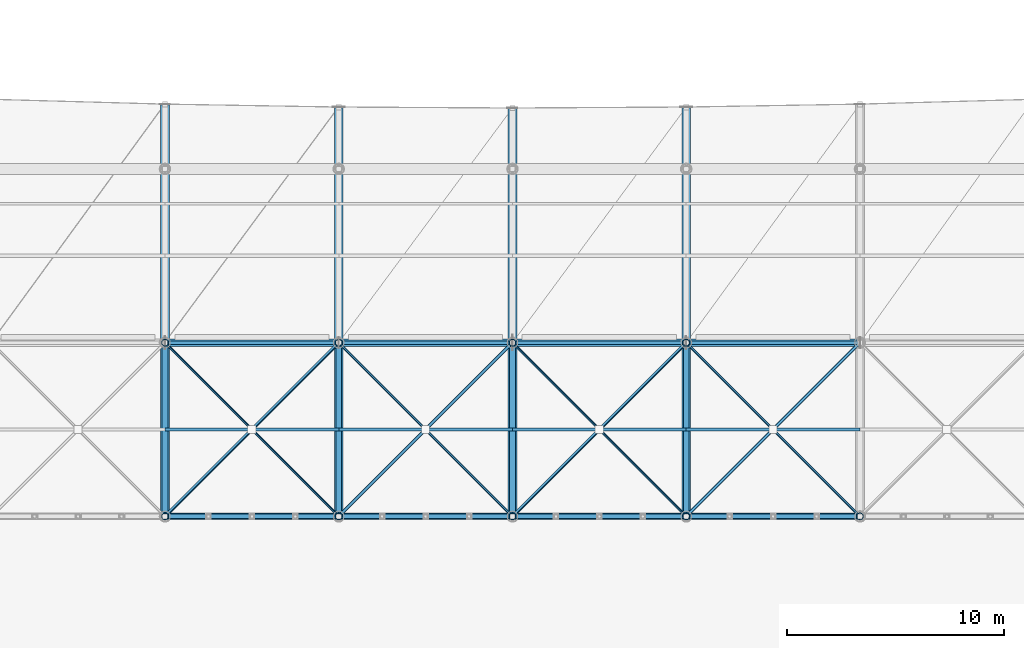
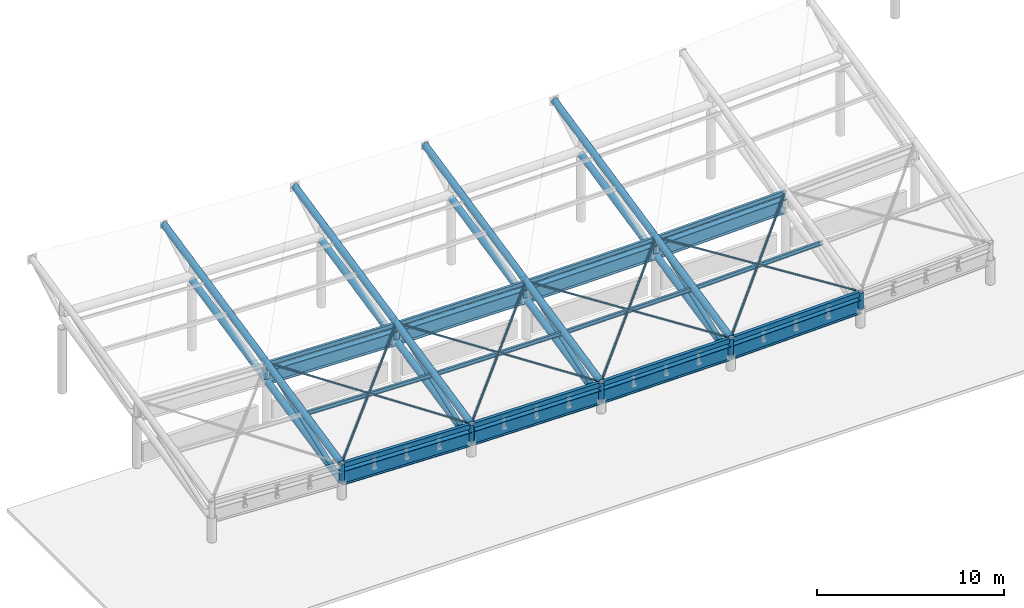
# One storey, part 23 of 78: 41 members, 12 beams.
"""IFC4 building model written with IfcOpenShell, lengths in metres."""

from ifc_helpers import new_model, si_unit, direction, frame, origin, origin_2d, place, context, subcontext, project, spatial, hollow_rectangle, hollow_circle, i_section, extrude, material, material_profile, profile_set, type_object, element, save


model = new_model("IFC4")

# Units and contexts
model_context = context("Model", 3, precision=1e-05, world=origin(), true_north=direction((0.0, 1.0)))
body_context = subcontext(model_context, "Body", "Model", "MODEL_VIEW")
ifc_project = project(units=[si_unit("LENGTHUNIT", "METRE"), si_unit("AREAUNIT", "SQUARE_METRE"), si_unit("VOLUMEUNIT", "CUBIC_METRE"), si_unit("PLANEANGLEUNIT", "RADIAN"), si_unit("MASSUNIT", "GRAM", prefix="KILO")], contexts=[model_context])

# Site, building, storey
site_placement = place(None, origin())
site = spatial("IfcSite", under=ifc_project, at=site_placement, CompositionType="ELEMENT")
building_placement = place(site_placement, origin())
building = spatial("IfcBuilding", under=site, at=building_placement, Name="Haebicheon Civic Stadium", CompositionType="ELEMENT")
storey_placement = place(building_placement, frame((0.0, 0.0, 18.60009765625)))
storey = spatial("IfcBuildingStorey", under=building, at=storey_placement, Name="L05", CompositionType="ELEMENT", Elevation=18.60009765625)

# Members
ifc_material_1 = material(Name="White painted steel SM490", Category="steel")
ifc_material_profile_1 = material_profile(ifc_material_1, hollow_circle(Radius=0.05712890625, WallThickness=0.006103515625, at=origin_2d()), Name="CHS-114.3x6.0")
ifc_profile_set_1 = profile_set([ifc_material_profile_1], Name="White painted steel SM490")
member_type_1 = type_object("IfcMemberType", Name="BRC-CHS114", PredefinedType="BRACE", material=ifc_profile_set_1)
for number, where, z_axis, x_axis, name in (
    (1, (96.0, 24.0, 2.0), (-0.696931970623, 0.696931970623, 0.169031525603), (-0.707106781187, -0.707106781187, 0.0), "BR114 diagonal brace CAN-SOUTH canopy bay 2 B1"),
    (2, (91.949951171875, 28.050048828125, 2.98193359375), (-0.696931970623, 0.696931970623, 0.169031525603), (-0.707106781187, -0.707106781187, 0.0), "BR114 diagonal brace CAN-SOUTH canopy bay 2 B2"),
):
    element("IfcMember", number, at=place(storey_placement, frame(where, z_axis=z_axis, x_axis=x_axis)), inside=storey, type_object=member_type_1, material=ifc_profile_set_1, Name=name, PredefinedType="BRACE", context=body_context, shape_type="SweptSolid", body=[
        extrude(hollow_circle(Radius=0.05712890625, WallThickness=0.006103515625, at=origin_2d()), origin(), (0.0, 0.0, 1.0), 5.667724609375),
    ])
member_1_placement = place(storey_placement, frame((104.0, 24.0, 1.927001953125), z_axis=(-0.698377172631, 0.698377172631, 0.156648171054), x_axis=(-0.707106781187, -0.707106781187, 0.0)))
element("IfcMember", 3, at=member_1_placement, inside=storey, type_object=member_type_1, material=ifc_profile_set_1, Name="BR114 diagonal brace CAN-SOUTH canopy bay 3 B1", PredefinedType="BRACE", context=body_context, shape_type="SweptSolid", body=[
    extrude(hollow_circle(Radius=0.05712890625, WallThickness=0.006103515625, at=origin_2d()), origin(), (0.0, 0.0, 1.0), 5.656005859375),
])
member_2_placement = place(storey_placement, frame((99.949951171875, 28.050048828125, 2.8349609375), z_axis=(-0.698396052193, 0.698396052193, 0.156479738501), x_axis=(-0.707106781187, -0.707106781187, 0.0)))
element("IfcMember", 4, at=member_2_placement, inside=storey, type_object=member_type_1, material=ifc_profile_set_1, Name="BR114 diagonal brace CAN-SOUTH canopy bay 3 B2", PredefinedType="BRACE", context=body_context, shape_type="SweptSolid", body=[
    extrude(hollow_circle(Radius=0.05712890625, WallThickness=0.006103515625, at=origin_2d()), origin(), (0.0, 0.0, 1.0), 5.65576171875),
])
for number, where, z_axis, x_axis, name in (
    (5, (112.0, 24.0, 2.0), (-0.699717478759, 0.699717478759, 0.144190498435), (-0.707106781187, -0.707106781187, 0.0), "BR114 diagonal brace CAN-SOUTH canopy bay 4 B1"),
    (6, (107.949951171875, 28.050048828125, 2.833984375), (-0.699734922757, 0.699734922757, 0.144021094801), (-0.707106781187, -0.707106781187, 0.0), "BR114 diagonal brace CAN-SOUTH canopy bay 4 B2"),
):
    element("IfcMember", number, at=place(storey_placement, frame(where, z_axis=z_axis, x_axis=x_axis)), inside=storey, type_object=member_type_1, material=ifc_profile_set_1, Name=name, PredefinedType="BRACE", context=body_context, shape_type="SweptSolid", body=[
        extrude(hollow_circle(Radius=0.05712890625, WallThickness=0.006103515625, at=origin_2d()), origin(), (0.0, 0.0, 1.0), 5.64501953125),
    ])
for number, where, z_axis, x_axis, name in (
    (7, (120.0, 24.0, 2.219970703125), (-0.700966987649, 0.700966987649, 0.131493590921), (-0.707106781187, -0.707106781187, 0.0), "BR114 diagonal brace CAN-SOUTH canopy bay 5 B1"),
    (8, (115.949951171875, 28.050048828125, 2.97900390625), (-0.700966987649, 0.700966987649, 0.131493590921), (-0.707106781187, -0.707106781187, 0.0), "BR114 diagonal brace CAN-SOUTH canopy bay 5 B2"),
):
    element("IfcMember", number, at=place(storey_placement, frame(where, z_axis=z_axis, x_axis=x_axis)), inside=storey, type_object=member_type_1, material=ifc_profile_set_1, Name=name, PredefinedType="BRACE", context=body_context, shape_type="SweptSolid", body=[
        extrude(hollow_circle(Radius=0.05712890625, WallThickness=0.006103515625, at=origin_2d()), origin(), (0.0, 0.0, 1.0), 5.635009765625),
    ])
ifc_material_2 = material(Name="White painted steel SM490", Category="steel")
ifc_material_profile_2 = material_profile(ifc_material_2, hollow_circle(Radius=0.06982421875, WallThickness=0.006591796875, at=origin_2d()), Name="CHS-139.8x6.6")
ifc_profile_set_2 = profile_set([ifc_material_profile_2], Name="White painted steel SM490")
member_type_2 = type_object("IfcMemberType", Name="BRC-CHS139", PredefinedType="BRACE", material=ifc_profile_set_2)
member_3_placement = place(storey_placement, frame((88.0, 24.0, 2.219970703125), z_axis=(0.700972726941, 0.700972726941, 0.131432386301), x_axis=(-0.707106781187, 0.707106781187, 0.0)))
element("IfcMember", 9, at=member_3_placement, inside=storey, type_object=member_type_2, material=ifc_profile_set_2, Name="BR139 diagonal brace CAN-SOUTH canopy bay 2 A", PredefinedType="BRACE", context=body_context, shape_type="SweptSolid", body=[
    extrude(hollow_circle(Radius=0.06982421875, WallThickness=0.006591796875, at=origin_2d()), origin(), (0.0, 0.0, 1.0), 11.41259765625),
])
member_4_placement = place(storey_placement, frame((96.0, 24.0, 2.0), z_axis=(0.699731451547, 0.699731451547, 0.144054820927), x_axis=(-0.707106781187, 0.707106781187, 0.0)))
element("IfcMember", 10, at=member_4_placement, inside=storey, type_object=member_type_2, material=ifc_profile_set_2, Name="BR139 diagonal brace CAN-SOUTH canopy bay 3 A", PredefinedType="BRACE", context=body_context, shape_type="SweptSolid", body=[
    extrude(hollow_circle(Radius=0.06982421875, WallThickness=0.006591796875, at=origin_2d()), origin(), (0.0, 0.0, 1.0), 11.432861328125),
])
member_5_placement = place(storey_placement, frame((104.0, 24.0, 1.927001953125), z_axis=(0.698391073752, 0.698391073752, 0.156524171315), x_axis=(-0.707106781187, 0.707106781187, 0.0)))
element("IfcMember", 11, at=member_5_placement, inside=storey, type_object=member_type_2, material=ifc_profile_set_2, Name="BR139 diagonal brace CAN-SOUTH canopy bay 4 A", PredefinedType="BRACE", context=body_context, shape_type="SweptSolid", body=[
    extrude(hollow_circle(Radius=0.06982421875, WallThickness=0.006591796875, at=origin_2d()), origin(), (0.0, 0.0, 1.0), 11.454833984375),
])
member_6_placement = place(storey_placement, frame((112.0, 24.0, 2.0), z_axis=(0.696935578316, 0.696935578316, 0.169001773233), x_axis=(-0.707106781187, 0.707106781187, 0.0)))
element("IfcMember", 12, at=member_6_placement, inside=storey, type_object=member_type_2, material=ifc_profile_set_2, Name="BR139 diagonal brace CAN-SOUTH canopy bay 5 A", PredefinedType="BRACE", context=body_context, shape_type="SweptSolid", body=[
    extrude(hollow_circle(Radius=0.06982421875, WallThickness=0.006591796875, at=origin_2d()), origin(), (0.0, 0.0, 1.0), 11.478759765625),
])
ifc_material_3 = material(Name="White painted steel SM490", Category="steel")
ifc_material_profile_3 = material_profile(ifc_material_3, hollow_circle(Radius=0.1337890625, WallThickness=0.011962890625, at=origin_2d()), Name="CHS-267.4x12.0")
ifc_profile_set_3 = profile_set([ifc_material_profile_3], Name="White painted steel SM490")
member_type_3 = type_object("IfcMemberType", Name="BRC-CHS267", PredefinedType="BRACE", material=ifc_profile_set_3)
for number, where, z_axis, x_axis, name in (
    (13, (88.0, 24.0, 1.06982421875), (0.0, 0.941257424358, 0.337689888939), (-1.0, 0.0, 0.0), "BR267 diagonal brace CAN-SOUTH truss 2 D1"),
    (14, (96.0, 24.0, 0.849853515625), (0.0, 0.941257424358, 0.337689888939), (-1.0, 0.0, 0.0), "BR267 diagonal brace CAN-SOUTH truss 3 D1"),
    (15, (104.0, 24.0, 0.77685546875), (0.0, 0.941257424358, 0.337689888939), (-1.0, 0.0, 0.0), "BR267 diagonal brace CAN-SOUTH truss 4 D1"),
    (16, (112.0, 24.0, 0.849853515625), (0.0, 0.941257424358, 0.337689888939), (-1.0, 0.0, 0.0), "BR267 diagonal brace CAN-SOUTH truss 5 D1"),
):
    element("IfcMember", number, at=place(storey_placement, frame(where, z_axis=z_axis, x_axis=x_axis)), inside=storey, type_object=member_type_3, material=ifc_profile_set_3, Name=name, PredefinedType="BRACE", context=body_context, shape_type="SweptSolid", body=[
        extrude(hollow_circle(Radius=0.1337890625, WallThickness=0.011962890625, at=origin_2d()), origin(), (0.0, 0.0, 1.0), 8.499267578125),
    ])
ifc_material_4 = material(Name="White painted steel SM490", Category="steel")
ifc_material_profile_4 = material_profile(ifc_material_4, hollow_circle(Radius=0.203125, WallThickness=0.01806640625, at=origin_2d()), Name="CHS-406.4x18.0")
ifc_profile_set_4 = profile_set([ifc_material_profile_4], Name="White painted steel SM490")
member_type_4 = type_object("IfcMemberType", Name="CHD-CHS406", PredefinedType="CHORD", material=ifc_profile_set_4)
member_7_placement = place(storey_placement, frame((88.0, 24.0, 2.219970703125), z_axis=(0.0, 0.977663791929, 0.210174950818), x_axis=(-1.0, 0.0, 0.0)))
element("IfcMember", 17, at=member_7_placement, inside=storey, type_object=member_type_4, material=ifc_profile_set_4, Name="CH406 truss chord CAN-SOUTH 2 top", PredefinedType="CHORD", context=body_context, shape_type="SweptSolid", body=[
    extrude(hollow_circle(Radius=0.203125, WallThickness=0.01806640625, at=origin_2d()), origin(), (0.0, 0.0, 1.0), 19.41162109375),
])
member_8_placement = place(storey_placement, frame((88.0, 24.0, 1.06982421875), z_axis=(0.0, 0.977656784121, 0.210207546159), x_axis=(-1.0, 0.0, 0.0)))
element("IfcMember", 18, at=member_8_placement, inside=storey, type_object=member_type_4, material=ifc_profile_set_4, Name="CH406 truss chord CAN-SOUTH 2 bottom", PredefinedType="CHORD", context=body_context, shape_type="SweptSolid", body=[
    extrude(hollow_circle(Radius=0.203125, WallThickness=0.01806640625, at=origin_2d()), origin(), (0.0, 0.0, 1.0), 16.36572265625),
])
member_9_placement = place(storey_placement, frame((96.0, 24.0, 2.0), z_axis=(0.0, 0.977666336758, 0.210163112774), x_axis=(-1.0, 0.0, 0.0)))
element("IfcMember", 19, at=member_9_placement, inside=storey, type_object=member_type_4, material=ifc_profile_set_4, Name="CH406 truss chord CAN-SOUTH 3 top", PredefinedType="CHORD", context=body_context, shape_type="SweptSolid", body=[
    extrude(hollow_circle(Radius=0.203125, WallThickness=0.01806640625, at=origin_2d()), origin(), (0.0, 0.0, 1.0), 19.2744140625),
])
member_10_placement = place(storey_placement, frame((96.0, 24.0, 0.849853515625), z_axis=(0.0, 0.977659849808, 0.210193287411), x_axis=(-1.0, 0.0, 0.0)))
element("IfcMember", 20, at=member_10_placement, inside=storey, type_object=member_type_4, material=ifc_profile_set_4, Name="CH406 truss chord CAN-SOUTH 3 bottom", PredefinedType="CHORD", context=body_context, shape_type="SweptSolid", body=[
    extrude(hollow_circle(Radius=0.203125, WallThickness=0.01806640625, at=origin_2d()), origin(), (0.0, 0.0, 1.0), 16.36572265625),
])
member_11_placement = place(storey_placement, frame((104.0, 24.0, 1.927001953125), z_axis=(0.0, 0.977659309739, 0.21019579939), x_axis=(-1.0, 0.0, 0.0)))
element("IfcMember", 21, at=member_11_placement, inside=storey, type_object=member_type_4, material=ifc_profile_set_4, Name="CH406 truss chord CAN-SOUTH 4 top", PredefinedType="CHORD", context=body_context, shape_type="SweptSolid", body=[
    extrude(hollow_circle(Radius=0.203125, WallThickness=0.01806640625, at=origin_2d()), origin(), (0.0, 0.0, 1.0), 19.229736328125),
])
member_12_placement = place(storey_placement, frame((104.0, 24.0, 0.77685546875), z_axis=(0.0, 0.977659849808, 0.210193287411), x_axis=(-1.0, 0.0, 0.0)))
element("IfcMember", 22, at=member_12_placement, inside=storey, type_object=member_type_4, material=ifc_profile_set_4, Name="CH406 truss chord CAN-SOUTH 4 bottom", PredefinedType="CHORD", context=body_context, shape_type="SweptSolid", body=[
    extrude(hollow_circle(Radius=0.203125, WallThickness=0.01806640625, at=origin_2d()), origin(), (0.0, 0.0, 1.0), 16.36572265625),
])
member_13_placement = place(storey_placement, frame((112.0, 24.0, 2.0), z_axis=(0.0, 0.977666336758, 0.210163112774), x_axis=(-1.0, 0.0, 0.0)))
element("IfcMember", 23, at=member_13_placement, inside=storey, type_object=member_type_4, material=ifc_profile_set_4, Name="CH406 truss chord CAN-SOUTH 5 top", PredefinedType="CHORD", context=body_context, shape_type="SweptSolid", body=[
    extrude(hollow_circle(Radius=0.203125, WallThickness=0.01806640625, at=origin_2d()), origin(), (0.0, 0.0, 1.0), 19.2744140625),
])
member_14_placement = place(storey_placement, frame((112.0, 24.0, 0.849853515625), z_axis=(0.0, 0.977659849808, 0.210193287411), x_axis=(-1.0, 0.0, 0.0)))
element("IfcMember", 24, at=member_14_placement, inside=storey, type_object=member_type_4, material=ifc_profile_set_4, Name="CH406 truss chord CAN-SOUTH 5 bottom", PredefinedType="CHORD", context=body_context, shape_type="SweptSolid", body=[
    extrude(hollow_circle(Radius=0.203125, WallThickness=0.01806640625, at=origin_2d()), origin(), (0.0, 0.0, 1.0), 16.36572265625),
])
ifc_material_5 = material(Name="White painted steel SM490", Category="steel")
ifc_material_profile_5 = material_profile(ifc_material_5, i_section(OverallWidth=0.125, OverallDepth=0.25, WebThickness=0.006103515625, FlangeThickness=0.009033203125, at=origin_2d()), Name="H-250x125x6x9")
ifc_profile_set_5 = profile_set([ifc_material_profile_5], Name="White painted steel SM490")
member_type_5 = type_object("IfcMemberType", Name="PRL-ST-H250", PredefinedType="PURLIN", material=ifc_profile_set_5)
member_15_placement = place(storey_placement, frame((88.0, 28.0, 3.012939453125), z_axis=(0.99962218992, 0.0, -0.027485949497), x_axis=(0.0, 1.0, 0.0)))
element("IfcMember", 25, at=member_15_placement, inside=storey, type_object=member_type_5, material=ifc_profile_set_5, Name="CAN-SOUTH canopy purlin bay 2 (25%)", PredefinedType="PURLIN", context=body_context, shape_type="SweptSolid", body=[
    extrude(i_section(OverallWidth=0.125, OverallDepth=0.25, WebThickness=0.006103515625, FlangeThickness=0.009033203125, at=origin_2d()), origin(), (0.0, 0.0, 1.0), 8.0029296875),
])
for number, where, z_axis, x_axis, name in (
    (26, (96.0, 28.0, 2.79296875), (0.999958372015, 0.0, -0.009124376014), (0.0, 1.0, 0.0), "CAN-SOUTH canopy purlin bay 3 (25%)"),
    (27, (104.0, 28.0, 2.719970703125), (0.999958372015, 0.0, 0.009124376014), (0.0, 1.0, 0.0), "CAN-SOUTH canopy purlin bay 4 (25%)"),
):
    element("IfcMember", number, at=place(storey_placement, frame(where, z_axis=z_axis, x_axis=x_axis)), inside=storey, type_object=member_type_5, material=ifc_profile_set_5, Name=name, PredefinedType="PURLIN", context=body_context, shape_type="SweptSolid", body=[
        extrude(i_section(OverallWidth=0.125, OverallDepth=0.25, WebThickness=0.006103515625, FlangeThickness=0.009033203125, at=origin_2d()), origin(), (0.0, 0.0, 1.0), 8.000244140625),
    ])
member_16_placement = place(storey_placement, frame((112.0, 28.0, 2.79296875), z_axis=(0.99962218992, 0.0, 0.027485949497), x_axis=(0.0, 1.0, 0.0)))
element("IfcMember", 28, at=member_16_placement, inside=storey, type_object=member_type_5, material=ifc_profile_set_5, Name="CAN-SOUTH canopy purlin bay 5 (25%)", PredefinedType="PURLIN", context=body_context, shape_type="SweptSolid", body=[
    extrude(i_section(OverallWidth=0.125, OverallDepth=0.25, WebThickness=0.006103515625, FlangeThickness=0.009033203125, at=origin_2d()), origin(), (0.0, 0.0, 1.0), 8.0029296875),
])
ifc_material_6 = material(Name="White painted steel SM490", Category="steel")
ifc_material_profile_6 = material_profile(ifc_material_6, i_section(OverallWidth=0.14990234375, OverallDepth=0.300048828125, WebThickness=0.006591796875, FlangeThickness=0.009033203125, at=origin_2d()), Name="H-300x150x6.5x9")
ifc_profile_set_6 = profile_set([ifc_material_profile_6], Name="White painted steel SM490")
member_type_6 = type_object("IfcMemberType", Name="PRL-ST-H300", PredefinedType="PURLIN", material=ifc_profile_set_6)
member_17_placement = place(storey_placement, frame((88.0, 32.0, 3.847900390625), z_axis=(0.99962218992, 0.0, -0.027485949497), x_axis=(0.0, 1.0, 0.0)))
element("IfcMember", 29, at=member_17_placement, inside=storey, type_object=member_type_6, material=ifc_profile_set_6, Name="CAN-SOUTH canopy purlin bay 2 (50%)", PredefinedType="PURLIN", context=body_context, shape_type="SweptSolid", body=[
    extrude(i_section(OverallWidth=0.14990234375, OverallDepth=0.300048828125, WebThickness=0.006591796875, FlangeThickness=0.009033203125, at=origin_2d()), origin(), (0.0, 0.0, 1.0), 8.0029296875),
])
for number, where, z_axis, x_axis, name in (
    (30, (96.0, 32.0, 3.6279296875), (0.999958372015, 0.0, -0.009124376014), (0.0, 1.0, 0.0), "CAN-SOUTH canopy purlin bay 3 (50%)"),
    (31, (104.0, 32.0, 3.554931640625), (0.999958372015, 0.0, 0.009124376014), (0.0, 1.0, 0.0), "CAN-SOUTH canopy purlin bay 4 (50%)"),
):
    element("IfcMember", number, at=place(storey_placement, frame(where, z_axis=z_axis, x_axis=x_axis)), inside=storey, type_object=member_type_6, material=ifc_profile_set_6, Name=name, PredefinedType="PURLIN", context=body_context, shape_type="SweptSolid", body=[
        extrude(i_section(OverallWidth=0.14990234375, OverallDepth=0.300048828125, WebThickness=0.006591796875, FlangeThickness=0.009033203125, at=origin_2d()), origin(), (0.0, 0.0, 1.0), 8.000244140625),
    ])
member_18_placement = place(storey_placement, frame((112.0, 32.0, 3.6279296875), z_axis=(0.99962218992, 0.0, 0.027485949497), x_axis=(0.0, 1.0, 0.0)))
element("IfcMember", 32, at=member_18_placement, inside=storey, type_object=member_type_6, material=ifc_profile_set_6, Name="CAN-SOUTH canopy purlin bay 5 (50%)", PredefinedType="PURLIN", context=body_context, shape_type="SweptSolid", body=[
    extrude(i_section(OverallWidth=0.14990234375, OverallDepth=0.300048828125, WebThickness=0.006591796875, FlangeThickness=0.009033203125, at=origin_2d()), origin(), (0.0, 0.0, 1.0), 8.0029296875),
])

# Beams
ifc_material_7 = material(Name="White painted steel SM490", Category="steel")
ifc_material_profile_7 = material_profile(ifc_material_7, i_section(OverallWidth=0.35009765625, OverallDepth=0.89990234375, WebThickness=0.01806640625, FlangeThickness=0.031982421875, at=origin_2d()), Name="H-900x350x18x32")
ifc_profile_set_7 = profile_set([ifc_material_profile_7], Name="White painted steel SM490")
beam_type_1 = type_object("IfcBeamType", Name="RB-ST-H900A", PredefinedType="USERDEFINED", material=ifc_profile_set_7)
beam_1_placement = place(storey_placement, frame((88.0, 32.0, 3.039794921875), z_axis=(0.99962218992, 0.0, -0.027485949497), x_axis=(0.0, 1.0, 0.0)))
element("IfcBeam", 33, at=beam_1_placement, inside=storey, type_object=beam_type_1, material=ifc_profile_set_7, Name="CAN-SOUTH polygonal ring beam RB-PIV bay 2", ObjectType="RING BEAM", PredefinedType="USERDEFINED", context=body_context, shape_type="SweptSolid", body=[
    extrude(i_section(OverallWidth=0.35009765625, OverallDepth=0.89990234375, WebThickness=0.01806640625, FlangeThickness=0.031982421875, at=origin_2d()), origin(), (0.0, 0.0, 1.0), 8.0029296875),
])
for number, where, z_axis, x_axis, name in (
    (34, (96.0, 32.0, 2.81982421875), (0.999958372015, 0.0, -0.009124376014), (0.0, 1.0, 0.0), "CAN-SOUTH polygonal ring beam RB-PIV bay 3"),
    (35, (104.0, 32.0, 2.746826171875), (0.999958372015, 0.0, 0.009124376014), (0.0, 1.0, 0.0), "CAN-SOUTH polygonal ring beam RB-PIV bay 4"),
):
    element("IfcBeam", number, at=place(storey_placement, frame(where, z_axis=z_axis, x_axis=x_axis)), inside=storey, type_object=beam_type_1, material=ifc_profile_set_7, Name=name, ObjectType="RING BEAM", PredefinedType="USERDEFINED", context=body_context, shape_type="SweptSolid", body=[
        extrude(i_section(OverallWidth=0.35009765625, OverallDepth=0.89990234375, WebThickness=0.01806640625, FlangeThickness=0.031982421875, at=origin_2d()), origin(), (0.0, 0.0, 1.0), 8.000244140625),
    ])
beam_2_placement = place(storey_placement, frame((112.0, 32.0, 2.81982421875), z_axis=(0.99962218992, 0.0, 0.027485949497), x_axis=(0.0, 1.0, 0.0)))
element("IfcBeam", 36, at=beam_2_placement, inside=storey, type_object=beam_type_1, material=ifc_profile_set_7, Name="CAN-SOUTH polygonal ring beam RB-PIV bay 5", ObjectType="RING BEAM", PredefinedType="USERDEFINED", context=body_context, shape_type="SweptSolid", body=[
    extrude(i_section(OverallWidth=0.35009765625, OverallDepth=0.89990234375, WebThickness=0.01806640625, FlangeThickness=0.031982421875, at=origin_2d()), origin(), (0.0, 0.0, 1.0), 8.0029296875),
])
ifc_material_8 = material(Name="White painted steel SM490", Category="steel")
ifc_material_profile_8 = material_profile(ifc_material_8, i_section(OverallWidth=0.300048828125, OverallDepth=0.89990234375, WebThickness=0.01611328125, FlangeThickness=0.028076171875, at=origin_2d()), Name="H-900x300x16x28")
ifc_profile_set_8 = profile_set([ifc_material_profile_8], Name="White painted steel SM490")
beam_type_2 = type_object("IfcBeamType", Name="RB-ST-H900B", PredefinedType="USERDEFINED", material=ifc_profile_set_8)
beam_3_placement = place(storey_placement, frame((88.0, 24.0, 1.31982421875), z_axis=(0.99962218992, 0.0, -0.027485949497), x_axis=(0.0, 1.0, 0.0)))
element("IfcBeam", 37, at=beam_3_placement, inside=storey, type_object=beam_type_2, material=ifc_profile_set_8, Name="CAN-SOUTH polygonal ring beam RB-BCK bay 2", ObjectType="RING BEAM", PredefinedType="USERDEFINED", context=body_context, shape_type="SweptSolid", body=[
    extrude(i_section(OverallWidth=0.300048828125, OverallDepth=0.89990234375, WebThickness=0.01611328125, FlangeThickness=0.028076171875, at=origin_2d()), origin(), (0.0, 0.0, 1.0), 8.0029296875),
])
for number, where, z_axis, x_axis, name in (
    (38, (96.0, 24.0, 1.099853515625), (0.999958372015, 0.0, -0.009124376014), (0.0, 1.0, 0.0), "CAN-SOUTH polygonal ring beam RB-BCK bay 3"),
    (39, (104.0, 24.0, 1.02685546875), (0.999958372015, 0.0, 0.009124376014), (0.0, 1.0, 0.0), "CAN-SOUTH polygonal ring beam RB-BCK bay 4"),
):
    element("IfcBeam", number, at=place(storey_placement, frame(where, z_axis=z_axis, x_axis=x_axis)), inside=storey, type_object=beam_type_2, material=ifc_profile_set_8, Name=name, ObjectType="RING BEAM", PredefinedType="USERDEFINED", context=body_context, shape_type="SweptSolid", body=[
        extrude(i_section(OverallWidth=0.300048828125, OverallDepth=0.89990234375, WebThickness=0.01611328125, FlangeThickness=0.028076171875, at=origin_2d()), origin(), (0.0, 0.0, 1.0), 8.000244140625),
    ])
beam_4_placement = place(storey_placement, frame((112.0, 24.0, 1.099853515625), z_axis=(0.99962218992, 0.0, 0.027485949497), x_axis=(0.0, 1.0, 0.0)))
element("IfcBeam", 40, at=beam_4_placement, inside=storey, type_object=beam_type_2, material=ifc_profile_set_8, Name="CAN-SOUTH polygonal ring beam RB-BCK bay 5", ObjectType="RING BEAM", PredefinedType="USERDEFINED", context=body_context, shape_type="SweptSolid", body=[
    extrude(i_section(OverallWidth=0.300048828125, OverallDepth=0.89990234375, WebThickness=0.01611328125, FlangeThickness=0.028076171875, at=origin_2d()), origin(), (0.0, 0.0, 1.0), 8.0029296875),
])
ifc_material_9 = material(Name="White painted steel SM490", Category="steel")
ifc_material_profile_9 = material_profile(ifc_material_9, hollow_rectangle(XDim=0.199951171875, YDim=0.300048828125, WallThickness=0.011962890625, at=origin_2d()), Name="RHS-300x200x12.0")
ifc_profile_set_9 = profile_set([ifc_material_profile_9], Name="White painted steel SM490")
beam_type_3 = type_object("IfcBeamType", Name="RB-ST-RHS300", PredefinedType="USERDEFINED", material=ifc_profile_set_9)
beam_5_placement = place(storey_placement, frame((88.0, 24.0, 2.119873046875), z_axis=(0.99962218992, 0.0, -0.027485949497), x_axis=(0.0, 1.0, 0.0)))
element("IfcBeam", 41, at=beam_5_placement, inside=storey, type_object=beam_type_3, material=ifc_profile_set_9, Name="CAN-SOUTH polygonal ring beam RB-TOP bay 2", ObjectType="RING BEAM", PredefinedType="USERDEFINED", context=body_context, shape_type="SweptSolid", body=[
    extrude(hollow_rectangle(XDim=0.199951171875, YDim=0.300048828125, WallThickness=0.011962890625, at=origin_2d()), origin(), (0.0, 0.0, 1.0), 8.0029296875),
])
for number, where, z_axis, x_axis, name in (
    (42, (96.0, 24.0, 1.89990234375), (0.999958372015, 0.0, -0.009124376014), (0.0, 1.0, 0.0), "CAN-SOUTH polygonal ring beam RB-TOP bay 3"),
    (43, (104.0, 24.0, 1.826904296875), (0.999958372015, 0.0, 0.009124376014), (0.0, 1.0, 0.0), "CAN-SOUTH polygonal ring beam RB-TOP bay 4"),
):
    element("IfcBeam", number, at=place(storey_placement, frame(where, z_axis=z_axis, x_axis=x_axis)), inside=storey, type_object=beam_type_3, material=ifc_profile_set_9, Name=name, ObjectType="RING BEAM", PredefinedType="USERDEFINED", context=body_context, shape_type="SweptSolid", body=[
        extrude(hollow_rectangle(XDim=0.199951171875, YDim=0.300048828125, WallThickness=0.011962890625, at=origin_2d()), origin(), (0.0, 0.0, 1.0), 8.000244140625),
    ])
beam_6_placement = place(storey_placement, frame((112.0, 24.0, 1.89990234375), z_axis=(0.99962218992, 0.0, 0.027485949497), x_axis=(0.0, 1.0, 0.0)))
element("IfcBeam", 44, at=beam_6_placement, inside=storey, type_object=beam_type_3, material=ifc_profile_set_9, Name="CAN-SOUTH polygonal ring beam RB-TOP bay 5", ObjectType="RING BEAM", PredefinedType="USERDEFINED", context=body_context, shape_type="SweptSolid", body=[
    extrude(hollow_rectangle(XDim=0.199951171875, YDim=0.300048828125, WallThickness=0.011962890625, at=origin_2d()), origin(), (0.0, 0.0, 1.0), 8.0029296875),
])

# Members
ifc_material_10 = material(Name="White painted steel SM490", Category="steel")
ifc_material_profile_10 = material_profile(ifc_material_10, hollow_circle(Radius=0.1591796875, WallThickness=0.013916015625, at=origin_2d()), Name="CHS-318.5x14.0")
ifc_profile_set_10 = profile_set([ifc_material_profile_10], Name="White painted steel SM490")
member_type_7 = type_object("IfcMemberType", Name="STR-CHS318", PredefinedType="STRUT", material=ifc_profile_set_10)
for number, where, z_axis, x_axis, name in (
    (45, (88.0, 24.0, 1.06982421875), (0.0, 0.0, 1.0), (1.0, 0.0, 0.0), "ST318 web strut CAN-SOUTH truss 2 VB"),
    (46, (88.0, 32.0, 2.789794921875), (0.0, 0.0, 1.0), (1.0, 0.0, 0.0), "ST318 web strut CAN-SOUTH truss 2 VP"),
    (47, (96.0, 24.0, 0.849853515625), (0.0, 0.0, 1.0), (1.0, 0.0, 0.0), "ST318 web strut CAN-SOUTH truss 3 VB"),
    (48, (96.0, 32.0, 2.56982421875), (0.0, 0.0, 1.0), (1.0, 0.0, 0.0), "ST318 web strut CAN-SOUTH truss 3 VP"),
    (49, (104.0, 24.0, 0.77685546875), (0.0, 0.0, 1.0), (1.0, 0.0, 0.0), "ST318 web strut CAN-SOUTH truss 4 VB"),
    (50, (104.0, 32.0, 2.496826171875), (0.0, 0.0, 1.0), (1.0, 0.0, 0.0), "ST318 web strut CAN-SOUTH truss 4 VP"),
    (51, (112.0, 24.0, 0.849853515625), (0.0, 0.0, 1.0), (1.0, 0.0, 0.0), "ST318 web strut CAN-SOUTH truss 5 VB"),
    (52, (112.0, 32.0, 2.56982421875), (0.0, 0.0, 1.0), (1.0, 0.0, 0.0), "ST318 web strut CAN-SOUTH truss 5 VP"),
    (53, (120.0, 24.0, 1.06982421875), (0.0, 0.0, 1.0), (1.0, 0.0, 0.0), "ST318 web strut CAN-SOUTH truss 6 VB"),
):
    element("IfcMember", number, at=place(storey_placement, frame(where, z_axis=z_axis, x_axis=x_axis)), inside=storey, type_object=member_type_7, material=ifc_profile_set_10, Name=name, PredefinedType="STRUT", context=body_context, shape_type="SweptSolid", body=[
        extrude(hollow_circle(Radius=0.1591796875, WallThickness=0.013916015625, at=origin_2d()), origin(), (0.0, 0.0, 1.0), 1.150146484375),
    ])

save(model, "model.ifc")
